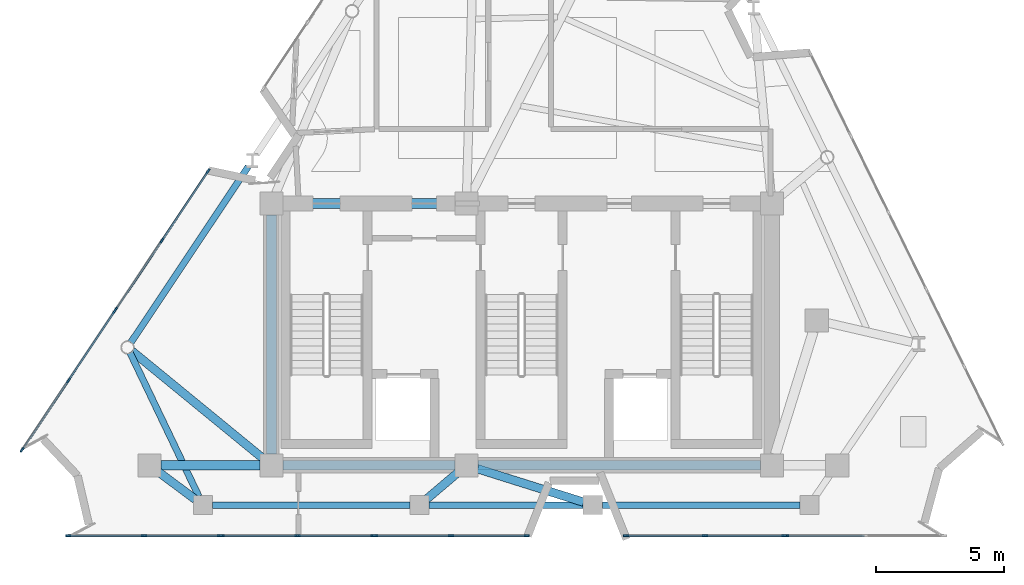
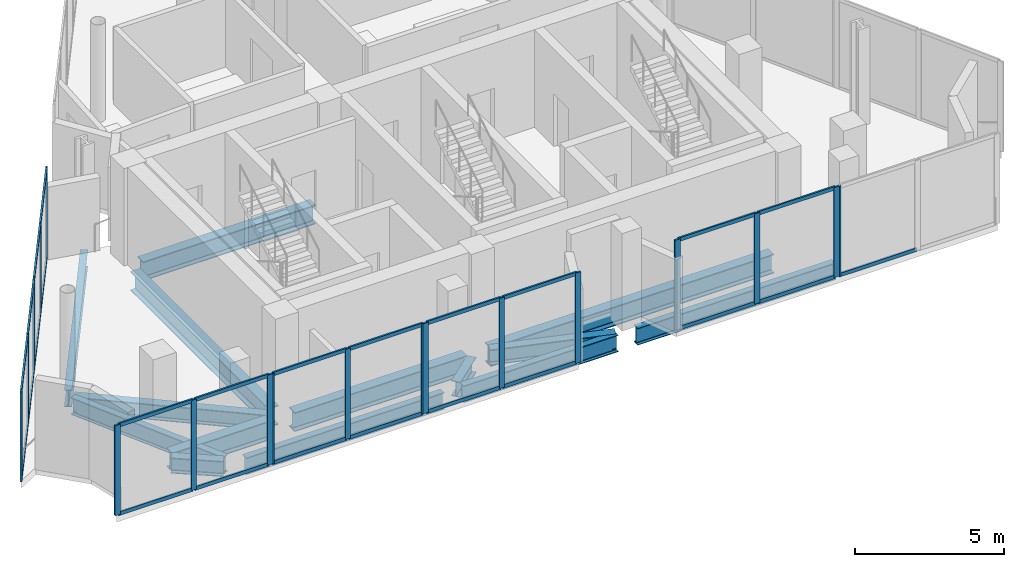
# One storey, part 2 of 9: 44 members, 14 beams, 7 elements without a shape of their own.
"""IFC4 building model written with IfcOpenShell, lengths in metres."""

from ifc_helpers import new_model, si_unit, direction, frame, origin, origin_2d, place, context, subcontext, project, spatial, rectangle, i_section, extrude, material, layer, layer_set, material_profile, profile_set, type_object, element, aggregate, save


model = new_model("IFC4")

# Units and contexts
model_context = context("Model", 3, precision=1e-05, world=origin(), true_north=direction((0.0, 1.0)))
body_context = subcontext(model_context, "Body", "Model", "MODEL_VIEW")
ifc_project = project(units=[si_unit("LENGTHUNIT", "METRE"), si_unit("AREAUNIT", "SQUARE_METRE"), si_unit("VOLUMEUNIT", "CUBIC_METRE"), si_unit("PLANEANGLEUNIT", "RADIAN"), si_unit("MASSUNIT", "GRAM", prefix="KILO")], contexts=[model_context])

# Site, building, storey
site_placement = place(None, origin())
site = spatial("IfcSite", under=ifc_project, at=site_placement, CompositionType="ELEMENT")
building_placement = place(site_placement, origin())
building = spatial("IfcBuilding", under=site, at=building_placement, Name="Almagre Mirador Tower", CompositionType="ELEMENT")
storey_placement = place(building_placement, frame((0.0, 0.0, 302.5)))
storey = spatial("IfcBuildingStorey", under=building, at=storey_placement, Name="L78", CompositionType="ELEMENT", Elevation=302.5)

# Beams
ifc_material_1 = material(Name="Steel ASTM A992 Grade 50", Category="steel")
ifc_material_profile_1 = material_profile(ifc_material_1, i_section(OverallWidth=0.256103515625, OverallDepth=0.693115234375, WebThickness=0.014404296875, FlangeThickness=0.023681640625, FilletRadius=0.02197265625, at=origin_2d()), Name="W27X114")
ifc_profile_set_1 = profile_set([ifc_material_profile_1], Name="Steel ASTM A992 Grade 50")
beam_type_1 = type_object("IfcBeamType", Name="BM-SPN-W27X114", PredefinedType="SPANDREL", material=ifc_profile_set_1)
beam_1_placement = place(storey_placement, frame((25.259033203125, 3.0, -0.646484375), z_axis=(1.0, 0.0, 0.0), x_axis=(0.0, 1.0, 0.0)))
element("IfcBeam", 1, at=beam_1_placement, inside=storey, type_object=beam_type_1, Name="L78 perimeter spandrel beam PC01-PC02", PredefinedType="SPANDREL", context=body_context, shape_type="SweptSolid", body=[
    extrude(i_section(OverallWidth=0.256103515625, OverallDepth=0.693115234375, WebThickness=0.014404296875, FlangeThickness=0.023681640625, FilletRadius=0.02197265625, at=origin_2d()), origin(), (0.0, 0.0, 1.0), 7.68994140625),
])
beam_2_placement = place(storey_placement, frame((33.698974609375, 3.0, -0.646484375), z_axis=(1.0, 0.0, 0.0), x_axis=(0.0, 1.0, 0.0)))
element("IfcBeam", 2, at=beam_2_placement, inside=storey, type_object=beam_type_1, Name="L78 perimeter spandrel beam PC02-PC03", PredefinedType="SPANDREL", context=body_context, shape_type="SweptSolid", body=[
    extrude(i_section(OverallWidth=0.256103515625, OverallDepth=0.693115234375, WebThickness=0.014404296875, FlangeThickness=0.023681640625, FilletRadius=0.02197265625, at=origin_2d()), origin(), (0.0, 0.0, 1.0), 6.001953125),
])
beam_3_placement = place(storey_placement, frame((40.450927734375, 3.0, -0.646484375), z_axis=(1.0, 0.0, 0.0), x_axis=(0.0, 1.0, 0.0)))
element("IfcBeam", 3, at=beam_3_placement, inside=storey, type_object=beam_type_1, Name="L78 perimeter spandrel beam PC03-PC04", PredefinedType="SPANDREL", context=body_context, shape_type="SweptSolid", body=[
    extrude(i_section(OverallWidth=0.256103515625, OverallDepth=0.693115234375, WebThickness=0.014404296875, FlangeThickness=0.023681640625, FilletRadius=0.02197265625, at=origin_2d()), origin(), (0.0, 0.0, 1.0), 7.690185546875),
])
beam_4_placement = place(storey_placement, frame((26.645751953125, 16.18505859375, -0.646484375), z_axis=(-0.555219210279, -0.831704051052, 0.0), x_axis=(0.831704051052, -0.555219210279, 0.0)))
element("IfcBeam", 4, at=beam_4_placement, inside=storey, type_object=beam_type_1, Name="L78 perimeter spandrel beam PC11-PC12", PredefinedType="SPANDREL", context=body_context, shape_type="SweptSolid", body=[
    extrude(i_section(OverallWidth=0.256103515625, OverallDepth=0.693115234375, WebThickness=0.014404296875, FlangeThickness=0.023681640625, FilletRadius=0.02197265625, at=origin_2d()), origin(), (0.0, 0.0, 1.0), 8.248291015625),
])
beam_5_placement = place(storey_placement, frame((22.0390625, 8.943603515625, -0.646484375), z_axis=(0.431747396031, -0.901994559862, 0.0), x_axis=(0.901994559862, 0.431747396031, 0.0)))
element("IfcBeam", 5, at=beam_5_placement, inside=storey, type_object=beam_type_1, Name="L78 perimeter spandrel beam PC12-PC01", PredefinedType="SPANDREL", context=body_context, shape_type="SweptSolid", body=[
    extrude(i_section(OverallWidth=0.256103515625, OverallDepth=0.693115234375, WebThickness=0.014404296875, FlangeThickness=0.023681640625, FilletRadius=0.02197265625, at=origin_2d()), origin(), (0.0, 0.0, 1.0), 6.214599609375),
])
ifc_material_2 = material(Name="Steel ASTM A992 Grade 50", Category="steel")
ifc_material_profile_2 = material_profile(ifc_material_2, i_section(OverallWidth=0.330078125, OverallDepth=0.635009765625, WebThickness=0.017822265625, FlangeThickness=0.031005859375, FilletRadius=0.02001953125, at=origin_2d()), Name="W24X162")
ifc_profile_set_2 = profile_set([ifc_material_profile_2], Name="Steel ASTM A992 Grade 50")
beam_type_2 = type_object("IfcBeamType", Name="BM-STL-W24X162", PredefinedType="BEAM", material=ifc_profile_set_2)
beam_6_placement = place(storey_placement, frame((24.5830078125, 3.223876953125, -0.617431640625), z_axis=(-0.802374373866, 0.596821048693, 0.0), x_axis=(-0.596821048693, -0.802374373866, 0.0)))
element("IfcBeam", 6, at=beam_6_placement, inside=storey, type_object=beam_type_2, Name="L78 radial floor girder PC01-MC1", PredefinedType="BEAM", context=body_context, shape_type="SweptSolid", body=[
    extrude(i_section(OverallWidth=0.330078125, OverallDepth=0.635009765625, WebThickness=0.017822265625, FlangeThickness=0.031005859375, FilletRadius=0.02001953125, at=origin_2d()), origin(), (0.0, 0.0, 1.0), 1.77197265625),
])
beam_7_placement = place(storey_placement, frame((33.60986328125, 3.24267578125, -0.617431640625), z_axis=(0.76236500019, 0.647147283457, 0.0), x_axis=(-0.647147283457, 0.76236500019, 0.0)))
element("IfcBeam", 7, at=beam_7_placement, inside=storey, type_object=beam_type_2, Name="L78 radial floor girder PC02-CC2", PredefinedType="BEAM", context=body_context, shape_type="SweptSolid", body=[
    extrude(i_section(OverallWidth=0.330078125, OverallDepth=0.635009765625, WebThickness=0.017822265625, FlangeThickness=0.031005859375, FilletRadius=0.02001953125, at=origin_2d()), origin(), (0.0, 0.0, 1.0), 1.570068359375),
])
beam_8_placement = place(storey_placement, frame((39.71826171875, 3.112548828125, -0.617431640625), z_axis=(-0.953898482719, 0.300129446518, 0.0), x_axis=(-0.300129446518, -0.953898482719, 0.0)))
element("IfcBeam", 8, at=beam_8_placement, inside=storey, type_object=beam_type_2, Name="L78 radial floor girder PC03-CC2", PredefinedType="BEAM", context=body_context, shape_type="SweptSolid", body=[
    extrude(i_section(OverallWidth=0.330078125, OverallDepth=0.635009765625, WebThickness=0.017822265625, FlangeThickness=0.031005859375, FilletRadius=0.02001953125, at=origin_2d()), origin(), (0.0, 0.0, 1.0), 4.3388671875),
])
beam_9_placement = place(storey_placement, frame((22.1142578125, 9.002685546875, -0.617431640625), z_axis=(0.773594952934, -0.633680399567, 0.0), x_axis=(0.633680399567, 0.773594952934, 0.0)))
element("IfcBeam", 9, at=beam_9_placement, inside=storey, type_object=beam_type_2, Name="L78 radial floor girder PC12-CC1", PredefinedType="BEAM", context=body_context, shape_type="SweptSolid", body=[
    extrude(i_section(OverallWidth=0.330078125, OverallDepth=0.635009765625, WebThickness=0.017822265625, FlangeThickness=0.031005859375, FilletRadius=0.02001953125, at=origin_2d()), origin(), (0.0, 0.0, 1.0), 6.57666015625),
])
ifc_material_3 = material(Name="Steel ASTM A992 Grade 50", Category="steel")
ifc_material_profile_3 = material_profile(ifc_material_3, i_section(OverallWidth=0.384033203125, OverallDepth=0.784912109375, WebThickness=0.019775390625, FlangeThickness=0.033447265625, FilletRadius=0.02392578125, at=origin_2d()), Name="W30X211")
ifc_profile_set_3 = profile_set([ifc_material_profile_3], Name="Steel ASTM A992 Grade 50")
beam_type_3 = type_object("IfcBeamType", Name="BM-STL-W30X211", PredefinedType="BEAM", material=ifc_profile_set_3)
beam_10_placement = place(storey_placement, frame((28.0, 4.550048828125, -0.6923828125), z_axis=(1.0, 0.0, 0.0), x_axis=(0.0, 1.0, 0.0)))
element("IfcBeam", 10, at=beam_10_placement, inside=storey, type_object=beam_type_3, Name="L78 core tie girder CC1-CC2", PredefinedType="BEAM", context=body_context, shape_type="SweptSolid", body=[
    extrude(i_section(OverallWidth=0.384033203125, OverallDepth=0.784912109375, WebThickness=0.019775390625, FlangeThickness=0.033447265625, FilletRadius=0.02392578125, at=origin_2d()), origin(), (0.0, 0.0, 1.0), 6.699951171875),
])
beam_11_placement = place(storey_placement, frame((35.60009765625, 4.550048828125, -0.6923828125), z_axis=(1.0, 0.0, 0.0), x_axis=(0.0, 1.0, 0.0)))
element("IfcBeam", 11, at=beam_11_placement, inside=storey, type_object=beam_type_3, Name="L78 core tie girder CC2-CC3", PredefinedType="BEAM", context=body_context, shape_type="SweptSolid", body=[
    extrude(i_section(OverallWidth=0.384033203125, OverallDepth=0.784912109375, WebThickness=0.019775390625, FlangeThickness=0.033447265625, FilletRadius=0.02392578125, at=origin_2d()), origin(), (0.0, 0.0, 1.0), 11.0),
])
beam_12_placement = place(storey_placement, frame((28.0, 14.75, -0.6923828125), z_axis=(1.0, 0.0, 0.0), x_axis=(0.0, 1.0, 0.0)))
element("IfcBeam", 12, at=beam_12_placement, inside=storey, type_object=beam_type_3, Name="L78 core tie girder CC4-CC5", PredefinedType="BEAM", context=body_context, shape_type="SweptSolid", body=[
    extrude(i_section(OverallWidth=0.384033203125, OverallDepth=0.784912109375, WebThickness=0.019775390625, FlangeThickness=0.033447265625, FilletRadius=0.02392578125, at=origin_2d()), origin(), (0.0, 0.0, 1.0), 6.699951171875),
])
beam_13_placement = place(storey_placement, frame((27.550048828125, 5.0, -0.6923828125), z_axis=(0.0, 1.0, 0.0), x_axis=(-1.0, 0.0, 0.0)))
element("IfcBeam", 13, at=beam_13_placement, inside=storey, type_object=beam_type_3, Name="L78 core tie girder CC1-CC4", PredefinedType="BEAM", context=body_context, shape_type="SweptSolid", body=[
    extrude(i_section(OverallWidth=0.384033203125, OverallDepth=0.784912109375, WebThickness=0.019775390625, FlangeThickness=0.033447265625, FilletRadius=0.02392578125, at=origin_2d()), origin(), (0.0, 0.0, 1.0), 9.300048828125),
])
beam_14_placement = place(storey_placement, frame((23.25, 4.550048828125, -0.6923828125), z_axis=(1.0, 0.0, 0.0), x_axis=(0.0, 1.0, 0.0)))
element("IfcBeam", 14, at=beam_14_placement, inside=storey, type_object=beam_type_3, Name="L78 core tie girder MC1-CC1", PredefinedType="BEAM", context=body_context, shape_type="SweptSolid", body=[
    extrude(i_section(OverallWidth=0.384033203125, OverallDepth=0.784912109375, WebThickness=0.019775390625, FlangeThickness=0.033447265625, FilletRadius=0.02392578125, at=origin_2d()), origin(), (0.0, 0.0, 1.0), 3.85009765625),
])

# Curtain wall, members
ifc_material_4 = material(Name="Black anodized aluminium", Category="aluminium")
ifc_layer = layer(ifc_material_4, 0.2099609375)
ifc_layer_set = layer_set([ifc_layer], Name="Black anodized aluminium")
curtain_wall_type = type_object("IfcCurtainWallType", Name="CW-CRN-SYS", PredefinedType="NOTDEFINED", material=ifc_layer_set)
curtain_wall_1_placement = place(storey_placement, origin())
curtain_wall_1 = element("IfcCurtainWall", 15, at=curtain_wall_1_placement, inside=storey, type_object=curtain_wall_type, Name="L78 curtain wall run 01", PredefinedType="NOTDEFINED")
ifc_material_5 = material(Name="Black anodized aluminium", Category="aluminium")
ifc_material_profile_4 = material_profile(ifc_material_5, rectangle(XDim=0.070068359375, YDim=0.2099609375, at=origin_2d()), Name="CWM70X210")
ifc_profile_set_4 = profile_set([ifc_material_profile_4], Name="Black anodized aluminium")
member_type_1 = type_object("IfcMemberType", Name="MBR-CWM70X210", PredefinedType="MULLION", material=ifc_profile_set_4)
member_1_placement = place(storey_placement, frame((17.840576171875, 5.15625, 0.0), z_axis=(0.0, 0.0, 1.0), x_axis=(-0.831707752982, 0.555213664845, 0.0)))
member_1 = element("IfcMember", 16, at=member_1_placement, type_object=member_type_1, Name="CW-6 mullion 1", PredefinedType="MULLION", context=body_context, shape_type="SweptSolid", body=[
    extrude(rectangle(XDim=0.070068359375, YDim=0.2099609375, at=origin_2d()), origin(), (0.0, 0.0, 1.0), 3.699951171875),
])
member_2_placement = place(storey_placement, frame((19.642333984375, 7.85546875, 0.0), z_axis=(0.0, 0.0, 1.0), x_axis=(-0.831707752982, 0.555213664845, 0.0)))
member_2 = element("IfcMember", 17, at=member_2_placement, type_object=member_type_1, Name="CW-6 mullion 2", PredefinedType="MULLION", context=body_context, shape_type="SweptSolid", body=[
    extrude(rectangle(XDim=0.070068359375, YDim=0.2099609375, at=origin_2d()), origin(), (0.0, 0.0, 1.0), 3.699951171875),
])
member_3_placement = place(storey_placement, frame((21.444091796875, 10.554443359375, 0.0), z_axis=(0.0, 0.0, 1.0), x_axis=(-0.831707752982, 0.555213664845, 0.0)))
member_3 = element("IfcMember", 18, at=member_3_placement, type_object=member_type_1, Name="CW-6 mullion 3", PredefinedType="MULLION", context=body_context, shape_type="SweptSolid", body=[
    extrude(rectangle(XDim=0.070068359375, YDim=0.2099609375, at=origin_2d()), origin(), (0.0, 0.0, 1.0), 3.699951171875),
])

curtain_wall_2_placement = place(storey_placement, origin())
curtain_wall_2 = element("IfcCurtainWall", 19, at=curtain_wall_2_placement, inside=storey, type_object=curtain_wall_type, Name="L78 curtain wall run 02", PredefinedType="NOTDEFINED")
member_4_placement = place(storey_placement, frame((21.48291015625, 10.612548828125, 0.0), z_axis=(0.0, 0.0, 1.0), x_axis=(-0.831707752982, 0.555213664845, 0.0)))
member_4 = element("IfcMember", 20, at=member_4_placement, type_object=member_type_1, Name="CW-6 mullion 1", PredefinedType="MULLION", context=body_context, shape_type="SweptSolid", body=[
    extrude(rectangle(XDim=0.070068359375, YDim=0.2099609375, at=origin_2d()), origin(), (0.0, 0.0, 1.0), 3.699951171875),
])
member_5_placement = place(storey_placement, frame((23.28466796875, 13.311767578125, 0.0), z_axis=(0.0, 0.0, 1.0), x_axis=(-0.831707752982, 0.555213664845, 0.0)))
member_5 = element("IfcMember", 21, at=member_5_placement, type_object=member_type_1, Name="CW-6 mullion 2", PredefinedType="MULLION", context=body_context, shape_type="SweptSolid", body=[
    extrude(rectangle(XDim=0.070068359375, YDim=0.2099609375, at=origin_2d()), origin(), (0.0, 0.0, 1.0), 3.699951171875),
])
member_6_placement = place(storey_placement, frame((25.08642578125, 16.0107421875, 0.0), z_axis=(0.0, 0.0, 1.0), x_axis=(-0.831707752982, 0.555213664845, 0.0)))
member_6 = element("IfcMember", 22, at=member_6_placement, type_object=member_type_1, Name="CW-6 mullion 3", PredefinedType="MULLION", context=body_context, shape_type="SweptSolid", body=[
    extrude(rectangle(XDim=0.070068359375, YDim=0.2099609375, at=origin_2d()), origin(), (0.0, 0.0, 1.0), 3.699951171875),
])

# Curtain wall, member
curtain_wall_3_placement = place(storey_placement, origin())
curtain_wall_3 = element("IfcCurtainWall", 23, at=curtain_wall_3_placement, inside=storey, type_object=curtain_wall_type, Name="L78 curtain wall run 11", PredefinedType="NOTDEFINED")
member_7_placement = place(storey_placement, frame((47.60302734375, 1.800048828125, 0.0), z_axis=(0.0, 0.0, 1.0), x_axis=(0.0, -1.0, 0.0)))
member_7 = element("IfcMember", 24, at=member_7_placement, type_object=member_type_1, Name="CW-6 mullion 3", PredefinedType="MULLION", context=body_context, shape_type="SweptSolid", body=[
    extrude(rectangle(XDim=0.070068359375, YDim=0.2099609375, at=origin_2d()), origin(), (0.0, 0.0, 1.0), 3.699951171875),
])

# Curtain wall, members
curtain_wall_4_placement = place(storey_placement, origin())
curtain_wall_4 = element("IfcCurtainWall", 25, at=curtain_wall_4_placement, inside=storey, type_object=curtain_wall_type, Name="L78 curtain wall run 12", PredefinedType="NOTDEFINED")
member_8_placement = place(storey_placement, frame((47.532958984375, 1.800048828125, 0.0), z_axis=(0.0, 0.0, 1.0), x_axis=(0.0, -1.0, 0.0)))
member_8 = element("IfcMember", 26, at=member_8_placement, type_object=member_type_1, Name="CW-6 mullion 1", PredefinedType="MULLION", context=body_context, shape_type="SweptSolid", body=[
    extrude(rectangle(XDim=0.070068359375, YDim=0.2099609375, at=origin_2d()), origin(), (0.0, 0.0, 1.0), 3.699951171875),
])
member_9_placement = place(storey_placement, frame((44.4521484375, 1.800048828125, 0.0), z_axis=(0.0, 0.0, 1.0), x_axis=(0.0, -1.0, 0.0)))
member_9 = element("IfcMember", 27, at=member_9_placement, type_object=member_type_1, Name="CW-6 mullion 2", PredefinedType="MULLION", context=body_context, shape_type="SweptSolid", body=[
    extrude(rectangle(XDim=0.070068359375, YDim=0.2099609375, at=origin_2d()), origin(), (0.0, 0.0, 1.0), 3.699951171875),
])
member_10_placement = place(storey_placement, frame((41.37109375, 1.800048828125, 0.0), z_axis=(0.0, 0.0, 1.0), x_axis=(0.0, -1.0, 0.0)))
member_10 = element("IfcMember", 28, at=member_10_placement, type_object=member_type_1, Name="CW-6 mullion 3", PredefinedType="MULLION", context=body_context, shape_type="SweptSolid", body=[
    extrude(rectangle(XDim=0.070068359375, YDim=0.2099609375, at=origin_2d()), origin(), (0.0, 0.0, 1.0), 3.699951171875),
])

curtain_wall_5_placement = place(storey_placement, origin())
curtain_wall_5 = element("IfcCurtainWall", 29, at=curtain_wall_5_placement, inside=storey, type_object=curtain_wall_type, Name="L78 curtain wall run 13", PredefinedType="NOTDEFINED")
member_11_placement = place(storey_placement, frame((37.500732421875, 1.800048828125, 0.0), z_axis=(0.0, 0.0, 1.0), x_axis=(0.0, -1.0, 0.0)))
member_11 = element("IfcMember", 30, at=member_11_placement, type_object=member_type_1, Name="CW-6 mullion 1", PredefinedType="MULLION", context=body_context, shape_type="SweptSolid", body=[
    extrude(rectangle(XDim=0.070068359375, YDim=0.2099609375, at=origin_2d()), origin(), (0.0, 0.0, 1.0), 3.699951171875),
])
member_12_placement = place(storey_placement, frame((34.54638671875, 1.800048828125, 0.0), z_axis=(0.0, 0.0, 1.0), x_axis=(0.0, -1.0, 0.0)))
member_12 = element("IfcMember", 31, at=member_12_placement, type_object=member_type_1, Name="CW-6 mullion 2", PredefinedType="MULLION", context=body_context, shape_type="SweptSolid", body=[
    extrude(rectangle(XDim=0.070068359375, YDim=0.2099609375, at=origin_2d()), origin(), (0.0, 0.0, 1.0), 3.699951171875),
])
member_13_placement = place(storey_placement, frame((31.59228515625, 1.800048828125, 0.0), z_axis=(0.0, 0.0, 1.0), x_axis=(0.0, -1.0, 0.0)))
member_13 = element("IfcMember", 32, at=member_13_placement, type_object=member_type_1, Name="CW-6 mullion 3", PredefinedType="MULLION", context=body_context, shape_type="SweptSolid", body=[
    extrude(rectangle(XDim=0.070068359375, YDim=0.2099609375, at=origin_2d()), origin(), (0.0, 0.0, 1.0), 3.699951171875),
])

curtain_wall_6_placement = place(storey_placement, origin())
curtain_wall_6 = element("IfcCurtainWall", 33, at=curtain_wall_6_placement, inside=storey, type_object=curtain_wall_type, Name="L78 curtain wall run 14", PredefinedType="NOTDEFINED")
member_14_placement = place(storey_placement, frame((31.522216796875, 1.800048828125, 0.0), z_axis=(0.0, 0.0, 1.0), x_axis=(0.0, -1.0, 0.0)))
member_14 = element("IfcMember", 34, at=member_14_placement, type_object=member_type_1, Name="CW-6 mullion 1", PredefinedType="MULLION", context=body_context, shape_type="SweptSolid", body=[
    extrude(rectangle(XDim=0.070068359375, YDim=0.2099609375, at=origin_2d()), origin(), (0.0, 0.0, 1.0), 3.699951171875),
])
member_15_placement = place(storey_placement, frame((28.56787109375, 1.800048828125, 0.0), z_axis=(0.0, 0.0, 1.0), x_axis=(0.0, -1.0, 0.0)))
member_15 = element("IfcMember", 35, at=member_15_placement, type_object=member_type_1, Name="CW-6 mullion 2", PredefinedType="MULLION", context=body_context, shape_type="SweptSolid", body=[
    extrude(rectangle(XDim=0.070068359375, YDim=0.2099609375, at=origin_2d()), origin(), (0.0, 0.0, 1.0), 3.699951171875),
])
member_16_placement = place(storey_placement, frame((25.61376953125, 1.800048828125, 0.0), z_axis=(0.0, 0.0, 1.0), x_axis=(0.0, -1.0, 0.0)))
member_16 = element("IfcMember", 36, at=member_16_placement, type_object=member_type_1, Name="CW-6 mullion 3", PredefinedType="MULLION", context=body_context, shape_type="SweptSolid", body=[
    extrude(rectangle(XDim=0.070068359375, YDim=0.2099609375, at=origin_2d()), origin(), (0.0, 0.0, 1.0), 3.699951171875),
])

curtain_wall_7_placement = place(storey_placement, origin())
curtain_wall_7 = element("IfcCurtainWall", 37, at=curtain_wall_7_placement, inside=storey, type_object=curtain_wall_type, Name="L78 curtain wall run 15", PredefinedType="NOTDEFINED")
member_17_placement = place(storey_placement, frame((25.543701171875, 1.800048828125, 0.0), z_axis=(0.0, 0.0, 1.0), x_axis=(0.0, -1.0, 0.0)))
member_17 = element("IfcMember", 38, at=member_17_placement, type_object=member_type_1, Name="CW-6 mullion 1", PredefinedType="MULLION", context=body_context, shape_type="SweptSolid", body=[
    extrude(rectangle(XDim=0.070068359375, YDim=0.2099609375, at=origin_2d()), origin(), (0.0, 0.0, 1.0), 3.699951171875),
])
member_18_placement = place(storey_placement, frame((22.58935546875, 1.800048828125, 0.0), z_axis=(0.0, 0.0, 1.0), x_axis=(0.0, -1.0, 0.0)))
member_18 = element("IfcMember", 39, at=member_18_placement, type_object=member_type_1, Name="CW-6 mullion 2", PredefinedType="MULLION", context=body_context, shape_type="SweptSolid", body=[
    extrude(rectangle(XDim=0.070068359375, YDim=0.2099609375, at=origin_2d()), origin(), (0.0, 0.0, 1.0), 3.699951171875),
])
member_19_placement = place(storey_placement, frame((19.63525390625, 1.800048828125, 0.0), z_axis=(0.0, 0.0, 1.0), x_axis=(0.0, -1.0, 0.0)))
member_19 = element("IfcMember", 40, at=member_19_placement, type_object=member_type_1, Name="CW-6 mullion 3", PredefinedType="MULLION", context=body_context, shape_type="SweptSolid", body=[
    extrude(rectangle(XDim=0.070068359375, YDim=0.2099609375, at=origin_2d()), origin(), (0.0, 0.0, 1.0), 3.699951171875),
])

# Member
ifc_material_6 = material(Name="Black anodized aluminium", Category="aluminium")
ifc_material_profile_5 = material_profile(ifc_material_6, rectangle(XDim=0.06494140625, YDim=0.14990234375, at=origin_2d()), Name="CWT65X150")
ifc_profile_set_5 = profile_set([ifc_material_profile_5], Name="Black anodized aluminium")
member_type_2 = type_object("IfcMemberType", Name="MBR-CWT65X150", PredefinedType="USERDEFINED", material=ifc_profile_set_5)
member_20_placement = place(storey_placement, frame((17.85986328125, 5.185302734375, 0.032470703125), z_axis=(0.555214654242, 0.8317070925, 0.0), x_axis=(-0.8317070925, 0.555214654242, 0.0)))
member_20 = element("IfcMember", 41, at=member_20_placement, type_object=member_type_2, Name="CW-6 transom 1.1", ObjectType="TRANSOM", PredefinedType="USERDEFINED", context=body_context, shape_type="SweptSolid", body=[
    extrude(rectangle(XDim=0.06494140625, YDim=0.14990234375, at=origin_2d()), origin(), (0.0, 0.0, 1.0), 3.17529296875),
])

member_21_placement = place(storey_placement, frame((17.85986328125, 5.185302734375, 3.66748046875), z_axis=(0.555214654242, 0.8317070925, 0.0), x_axis=(-0.8317070925, 0.555214654242, 0.0)))
member_21 = element("IfcMember", 42, at=member_21_placement, type_object=member_type_2, Name="CW-6 transom 1.2", ObjectType="TRANSOM", PredefinedType="USERDEFINED", context=body_context, shape_type="SweptSolid", body=[
    extrude(rectangle(XDim=0.06494140625, YDim=0.14990234375, at=origin_2d()), origin(), (0.0, 0.0, 1.0), 3.17529296875),
])

member_22_placement = place(storey_placement, frame((19.66162109375, 7.884521484375, 0.032470703125), z_axis=(0.555214654242, 0.8317070925, 0.0), x_axis=(-0.8317070925, 0.555214654242, 0.0)))
member_22 = element("IfcMember", 43, at=member_22_placement, type_object=member_type_2, Name="CW-6 transom 2.1", ObjectType="TRANSOM", PredefinedType="USERDEFINED", context=body_context, shape_type="SweptSolid", body=[
    extrude(rectangle(XDim=0.06494140625, YDim=0.14990234375, at=origin_2d()), origin(), (0.0, 0.0, 1.0), 3.17529296875),
])

member_23_placement = place(storey_placement, frame((19.66162109375, 7.884521484375, 3.66748046875), z_axis=(0.555214654242, 0.8317070925, 0.0), x_axis=(-0.8317070925, 0.555214654242, 0.0)))
member_23 = element("IfcMember", 44, at=member_23_placement, type_object=member_type_2, Name="CW-6 transom 2.2", ObjectType="TRANSOM", PredefinedType="USERDEFINED", context=body_context, shape_type="SweptSolid", body=[
    extrude(rectangle(XDim=0.06494140625, YDim=0.14990234375, at=origin_2d()), origin(), (0.0, 0.0, 1.0), 3.17529296875),
])

aggregate(curtain_wall_1, [member_1, member_2, member_3, member_20, member_21, member_22, member_23])

member_24_placement = place(storey_placement, frame((21.50244140625, 10.6416015625, 0.032470703125), z_axis=(0.555214654242, 0.8317070925, 0.0), x_axis=(-0.8317070925, 0.555214654242, 0.0)))
member_24 = element("IfcMember", 45, at=member_24_placement, type_object=member_type_2, Name="CW-6 transom 1.1", ObjectType="TRANSOM", PredefinedType="USERDEFINED", context=body_context, shape_type="SweptSolid", body=[
    extrude(rectangle(XDim=0.06494140625, YDim=0.14990234375, at=origin_2d()), origin(), (0.0, 0.0, 1.0), 3.17529296875),
])

member_25_placement = place(storey_placement, frame((21.50244140625, 10.6416015625, 3.66748046875), z_axis=(0.555214654242, 0.8317070925, 0.0), x_axis=(-0.8317070925, 0.555214654242, 0.0)))
member_25 = element("IfcMember", 46, at=member_25_placement, type_object=member_type_2, Name="CW-6 transom 1.2", ObjectType="TRANSOM", PredefinedType="USERDEFINED", context=body_context, shape_type="SweptSolid", body=[
    extrude(rectangle(XDim=0.06494140625, YDim=0.14990234375, at=origin_2d()), origin(), (0.0, 0.0, 1.0), 3.17529296875),
])

member_26_placement = place(storey_placement, frame((23.30419921875, 13.3408203125, 0.032470703125), z_axis=(0.555214654242, 0.8317070925, 0.0), x_axis=(-0.8317070925, 0.555214654242, 0.0)))
member_26 = element("IfcMember", 47, at=member_26_placement, type_object=member_type_2, Name="CW-6 transom 2.1", ObjectType="TRANSOM", PredefinedType="USERDEFINED", context=body_context, shape_type="SweptSolid", body=[
    extrude(rectangle(XDim=0.06494140625, YDim=0.14990234375, at=origin_2d()), origin(), (0.0, 0.0, 1.0), 3.17529296875),
])

member_27_placement = place(storey_placement, frame((23.30419921875, 13.3408203125, 3.66748046875), z_axis=(0.555214654242, 0.8317070925, 0.0), x_axis=(-0.8317070925, 0.555214654242, 0.0)))
member_27 = element("IfcMember", 48, at=member_27_placement, type_object=member_type_2, Name="CW-6 transom 2.2", ObjectType="TRANSOM", PredefinedType="USERDEFINED", context=body_context, shape_type="SweptSolid", body=[
    extrude(rectangle(XDim=0.06494140625, YDim=0.14990234375, at=origin_2d()), origin(), (0.0, 0.0, 1.0), 3.17529296875),
])

aggregate(curtain_wall_2, [member_4, member_5, member_6, member_24, member_25, member_26, member_27])

member_28_placement = place(storey_placement, frame((50.64892578125, 1.800048828125, 0.032470703125), z_axis=(-1.0, 0.0, 0.0), x_axis=(0.0, -1.0, 0.0)))
member_28 = element("IfcMember", 49, at=member_28_placement, type_object=member_type_2, Name="CW-6 transom 2.1", ObjectType="TRANSOM", PredefinedType="USERDEFINED", context=body_context, shape_type="SweptSolid", body=[
    extrude(rectangle(XDim=0.06494140625, YDim=0.14990234375, at=origin_2d()), origin(), (0.0, 0.0, 1.0), 3.010986328125),
])

aggregate(curtain_wall_3, [member_7, member_28])

member_29_placement = place(storey_placement, frame((47.498046875, 1.800048828125, 0.032470703125), z_axis=(-1.0, 0.0, 0.0), x_axis=(0.0, -1.0, 0.0)))
member_29 = element("IfcMember", 50, at=member_29_placement, type_object=member_type_2, Name="CW-6 transom 1.1", ObjectType="TRANSOM", PredefinedType="USERDEFINED", context=body_context, shape_type="SweptSolid", body=[
    extrude(rectangle(XDim=0.06494140625, YDim=0.14990234375, at=origin_2d()), origin(), (0.0, 0.0, 1.0), 3.010986328125),
])

member_30_placement = place(storey_placement, frame((47.498046875, 1.800048828125, 3.66748046875), z_axis=(-1.0, 0.0, 0.0), x_axis=(0.0, -1.0, 0.0)))
member_30 = element("IfcMember", 51, at=member_30_placement, type_object=member_type_2, Name="CW-6 transom 1.2", ObjectType="TRANSOM", PredefinedType="USERDEFINED", context=body_context, shape_type="SweptSolid", body=[
    extrude(rectangle(XDim=0.06494140625, YDim=0.14990234375, at=origin_2d()), origin(), (0.0, 0.0, 1.0), 3.010986328125),
])

member_31_placement = place(storey_placement, frame((44.4169921875, 1.800048828125, 0.032470703125), z_axis=(-1.0, 0.0, 0.0), x_axis=(0.0, -1.0, 0.0)))
member_31 = element("IfcMember", 52, at=member_31_placement, type_object=member_type_2, Name="CW-6 transom 2.1", ObjectType="TRANSOM", PredefinedType="USERDEFINED", context=body_context, shape_type="SweptSolid", body=[
    extrude(rectangle(XDim=0.06494140625, YDim=0.14990234375, at=origin_2d()), origin(), (0.0, 0.0, 1.0), 3.0107421875),
])

member_32_placement = place(storey_placement, frame((44.4169921875, 1.800048828125, 3.66748046875), z_axis=(-1.0, 0.0, 0.0), x_axis=(0.0, -1.0, 0.0)))
member_32 = element("IfcMember", 53, at=member_32_placement, type_object=member_type_2, Name="CW-6 transom 2.2", ObjectType="TRANSOM", PredefinedType="USERDEFINED", context=body_context, shape_type="SweptSolid", body=[
    extrude(rectangle(XDim=0.06494140625, YDim=0.14990234375, at=origin_2d()), origin(), (0.0, 0.0, 1.0), 3.0107421875),
])

aggregate(curtain_wall_4, [member_8, member_9, member_10, member_29, member_30, member_31, member_32])

member_33_placement = place(storey_placement, frame((37.4658203125, 1.800048828125, 0.032470703125), z_axis=(-1.0, 0.0, 0.0), x_axis=(0.0, -1.0, 0.0)))
member_33 = element("IfcMember", 54, at=member_33_placement, type_object=member_type_2, Name="CW-6 transom 1.1", ObjectType="TRANSOM", PredefinedType="USERDEFINED", context=body_context, shape_type="SweptSolid", body=[
    extrude(rectangle(XDim=0.06494140625, YDim=0.14990234375, at=origin_2d()), origin(), (0.0, 0.0, 1.0), 2.88427734375),
])

member_34_placement = place(storey_placement, frame((37.4658203125, 1.800048828125, 3.66748046875), z_axis=(-1.0, 0.0, 0.0), x_axis=(0.0, -1.0, 0.0)))
member_34 = element("IfcMember", 55, at=member_34_placement, type_object=member_type_2, Name="CW-6 transom 1.2", ObjectType="TRANSOM", PredefinedType="USERDEFINED", context=body_context, shape_type="SweptSolid", body=[
    extrude(rectangle(XDim=0.06494140625, YDim=0.14990234375, at=origin_2d()), origin(), (0.0, 0.0, 1.0), 2.88427734375),
])

member_35_placement = place(storey_placement, frame((34.511474609375, 1.800048828125, 0.032470703125), z_axis=(-1.0, 0.0, 0.0), x_axis=(0.0, -1.0, 0.0)))
member_35 = element("IfcMember", 56, at=member_35_placement, type_object=member_type_2, Name="CW-6 transom 2.1", ObjectType="TRANSOM", PredefinedType="USERDEFINED", context=body_context, shape_type="SweptSolid", body=[
    extrude(rectangle(XDim=0.06494140625, YDim=0.14990234375, at=origin_2d()), origin(), (0.0, 0.0, 1.0), 2.88427734375),
])

member_36_placement = place(storey_placement, frame((34.511474609375, 1.800048828125, 3.66748046875), z_axis=(-1.0, 0.0, 0.0), x_axis=(0.0, -1.0, 0.0)))
member_36 = element("IfcMember", 57, at=member_36_placement, type_object=member_type_2, Name="CW-6 transom 2.2", ObjectType="TRANSOM", PredefinedType="USERDEFINED", context=body_context, shape_type="SweptSolid", body=[
    extrude(rectangle(XDim=0.06494140625, YDim=0.14990234375, at=origin_2d()), origin(), (0.0, 0.0, 1.0), 2.88427734375),
])

aggregate(curtain_wall_5, [member_11, member_12, member_13, member_33, member_34, member_35, member_36])

member_37_placement = place(storey_placement, frame((31.4873046875, 1.800048828125, 0.032470703125), z_axis=(-1.0, 0.0, 0.0), x_axis=(0.0, -1.0, 0.0)))
member_37 = element("IfcMember", 58, at=member_37_placement, type_object=member_type_2, Name="CW-6 transom 1.1", ObjectType="TRANSOM", PredefinedType="USERDEFINED", context=body_context, shape_type="SweptSolid", body=[
    extrude(rectangle(XDim=0.06494140625, YDim=0.14990234375, at=origin_2d()), origin(), (0.0, 0.0, 1.0), 2.88427734375),
])

member_38_placement = place(storey_placement, frame((31.4873046875, 1.800048828125, 3.66748046875), z_axis=(-1.0, 0.0, 0.0), x_axis=(0.0, -1.0, 0.0)))
member_38 = element("IfcMember", 59, at=member_38_placement, type_object=member_type_2, Name="CW-6 transom 1.2", ObjectType="TRANSOM", PredefinedType="USERDEFINED", context=body_context, shape_type="SweptSolid", body=[
    extrude(rectangle(XDim=0.06494140625, YDim=0.14990234375, at=origin_2d()), origin(), (0.0, 0.0, 1.0), 2.88427734375),
])

member_39_placement = place(storey_placement, frame((28.532958984375, 1.800048828125, 0.032470703125), z_axis=(-1.0, 0.0, 0.0), x_axis=(0.0, -1.0, 0.0)))
member_39 = element("IfcMember", 60, at=member_39_placement, type_object=member_type_2, Name="CW-6 transom 2.1", ObjectType="TRANSOM", PredefinedType="USERDEFINED", context=body_context, shape_type="SweptSolid", body=[
    extrude(rectangle(XDim=0.06494140625, YDim=0.14990234375, at=origin_2d()), origin(), (0.0, 0.0, 1.0), 2.88427734375),
])

member_40_placement = place(storey_placement, frame((28.532958984375, 1.800048828125, 3.66748046875), z_axis=(-1.0, 0.0, 0.0), x_axis=(0.0, -1.0, 0.0)))
member_40 = element("IfcMember", 61, at=member_40_placement, type_object=member_type_2, Name="CW-6 transom 2.2", ObjectType="TRANSOM", PredefinedType="USERDEFINED", context=body_context, shape_type="SweptSolid", body=[
    extrude(rectangle(XDim=0.06494140625, YDim=0.14990234375, at=origin_2d()), origin(), (0.0, 0.0, 1.0), 2.88427734375),
])

aggregate(curtain_wall_6, [member_14, member_15, member_16, member_37, member_38, member_39, member_40])

member_41_placement = place(storey_placement, frame((25.5087890625, 1.800048828125, 0.032470703125), z_axis=(-1.0, 0.0, 0.0), x_axis=(0.0, -1.0, 0.0)))
member_41 = element("IfcMember", 62, at=member_41_placement, type_object=member_type_2, Name="CW-6 transom 1.1", ObjectType="TRANSOM", PredefinedType="USERDEFINED", context=body_context, shape_type="SweptSolid", body=[
    extrude(rectangle(XDim=0.06494140625, YDim=0.14990234375, at=origin_2d()), origin(), (0.0, 0.0, 1.0), 2.88427734375),
])

member_42_placement = place(storey_placement, frame((25.5087890625, 1.800048828125, 3.66748046875), z_axis=(-1.0, 0.0, 0.0), x_axis=(0.0, -1.0, 0.0)))
member_42 = element("IfcMember", 63, at=member_42_placement, type_object=member_type_2, Name="CW-6 transom 1.2", ObjectType="TRANSOM", PredefinedType="USERDEFINED", context=body_context, shape_type="SweptSolid", body=[
    extrude(rectangle(XDim=0.06494140625, YDim=0.14990234375, at=origin_2d()), origin(), (0.0, 0.0, 1.0), 2.88427734375),
])

member_43_placement = place(storey_placement, frame((22.554443359375, 1.800048828125, 0.032470703125), z_axis=(-1.0, 0.0, 0.0), x_axis=(0.0, -1.0, 0.0)))
member_43 = element("IfcMember", 64, at=member_43_placement, type_object=member_type_2, Name="CW-6 transom 2.1", ObjectType="TRANSOM", PredefinedType="USERDEFINED", context=body_context, shape_type="SweptSolid", body=[
    extrude(rectangle(XDim=0.06494140625, YDim=0.14990234375, at=origin_2d()), origin(), (0.0, 0.0, 1.0), 2.88427734375),
])

member_44_placement = place(storey_placement, frame((22.554443359375, 1.800048828125, 3.66748046875), z_axis=(-1.0, 0.0, 0.0), x_axis=(0.0, -1.0, 0.0)))
member_44 = element("IfcMember", 65, at=member_44_placement, type_object=member_type_2, Name="CW-6 transom 2.2", ObjectType="TRANSOM", PredefinedType="USERDEFINED", context=body_context, shape_type="SweptSolid", body=[
    extrude(rectangle(XDim=0.06494140625, YDim=0.14990234375, at=origin_2d()), origin(), (0.0, 0.0, 1.0), 2.88427734375),
])

aggregate(curtain_wall_7, [member_17, member_18, member_19, member_41, member_42, member_43, member_44])

save(model, "model.ifc")
